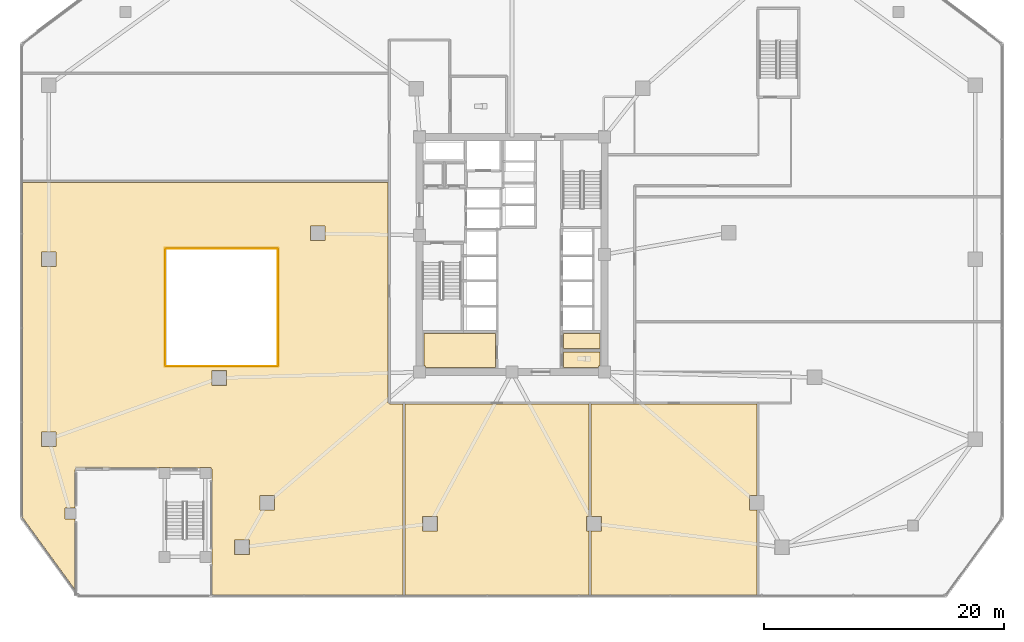
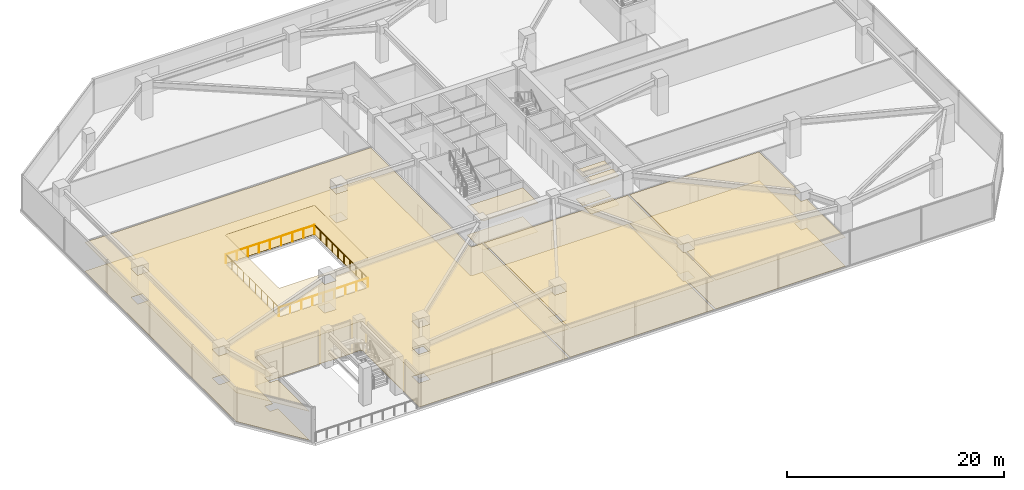
# One storey, part 15 of 22: 12 coverings, 4 railings.
"""IFC4 building model written with IfcOpenShell, lengths in metres."""

from ifc_helpers import new_model, si_unit, direction, frame, origin, origin_2d, place, context, subcontext, project, spatial, polyline, circle, outline, extrude, material, layer, layer_set, type_object, element, save


model = new_model("IFC4")

# Units and contexts
model_context = context("Model", 3, precision=1e-05, world=origin(), true_north=direction((0.0, 1.0)))
body_context = subcontext(model_context, "Body", "Model", "MODEL_VIEW")
ifc_project = project(units=[si_unit("LENGTHUNIT", "METRE"), si_unit("AREAUNIT", "SQUARE_METRE"), si_unit("VOLUMEUNIT", "CUBIC_METRE"), si_unit("PLANEANGLEUNIT", "RADIAN"), si_unit("MASSUNIT", "GRAM", prefix="KILO")], contexts=[model_context])

# Site, building, storey
site_placement = place(None, origin())
site = spatial("IfcSite", under=ifc_project, at=site_placement, CompositionType="ELEMENT")
building_placement = place(site_placement, origin())
building = spatial("IfcBuilding", under=site, at=building_placement, Name="Savorim Split Tower", CompositionType="ELEMENT")
storey_placement = place(building_placement, frame((0.0, 0.0, 13.39990234375)))
storey = spatial("IfcBuildingStorey", under=building, at=storey_placement, Name="L03", CompositionType="ELEMENT", Elevation=13.39990234375)

# Coverings
ifc_material_1 = material(Name="Mineral Fibre Acoustic Ceiling")
ifc_layer_1 = layer(ifc_material_1, 0.02490234375)
ifc_layer_set_1 = layer_set([ifc_layer_1], Name="COV-CEIL-25")
covering_type_1 = type_object("IfcCoveringType", Name="COV-CEIL-25", PredefinedType="CEILING", material=ifc_layer_set_1)
covering_1_placement = place(storey_placement, frame((0.0, 0.0, 3.239990234375)))
element("IfcCovering", 1, at=covering_1_placement, inside=storey, type_object=covering_type_1, Name="L03 Housekeeping Store Acoustic Ceiling", PredefinedType="CEILING", context=body_context, shape_type="SweptSolid", body=[
    extrude(outline(polyline([(-1.3798828125, -6.179931640625), (-7.320068359375, -6.179931640625), (-7.320068359375, -8.889892578125), (-7.18994140625, -8.889892578125), (-7.18994140625, -9.02001953125), (-1.3798828125, -9.02001953125), (-1.3798828125, -6.179931640625)])), origin(), (0.0, 0.0, 1.0), 0.025146484375),
])
covering_2_placement = place(storey_placement, frame((0.0, 0.0, 3.239990234375)))
element("IfcCovering", 2, at=covering_2_placement, inside=storey, type_object=covering_type_1, Name="L03 Accessible WC Acoustic Ceiling", PredefinedType="CEILING", context=body_context, shape_type="SweptSolid", body=[
    extrude(outline(polyline([(4.280029296875, -7.719970703125), (4.280029296875, -9.02001953125), (7.18994140625, -9.02001953125), (7.18994140625, -8.889892578125), (7.320068359375, -8.889892578125), (7.320068359375, -7.719970703125), (4.280029296875, -7.719970703125)])), origin(), (0.0, 0.0, 1.0), 0.025146484375),
])
covering_3_placement = place(storey_placement, frame((0.0, 0.0, 3.239990234375)))
element("IfcCovering", 3, at=covering_3_placement, inside=storey, type_object=covering_type_1, Name="L03 Cleaning Store Acoustic Ceiling", PredefinedType="CEILING", context=body_context, shape_type="SweptSolid", body=[
    extrude(outline(polyline([(4.280029296875, -6.179931640625), (4.280029296875, -7.43994140625), (7.320068359375, -7.43994140625), (7.320068359375, -6.179931640625), (4.280029296875, -6.179931640625)])), origin(), (0.0, 0.0, 1.0), 0.025146484375),
])
covering_4_placement = place(storey_placement, frame((0.0, 0.0, 3.239990234375)))
element("IfcCovering", 4, at=covering_4_placement, inside=storey, type_object=covering_type_1, Name="L03 Co-Working Commons Acoustic Ceiling", PredefinedType="CEILING", context=body_context, shape_type="SweptSolid", body=[
    extrude(outline(polyline([(-10.31494140625, 6.405029296875), (-40.780029296875, 6.405029296875), (-40.780029296875, -21.528564453125), (-36.419921875, -27.5234375), (-36.419921875, -21.659912109375), (-37.260009765625, -21.659912109375), (-37.260009765625, -20.739990234375), (-36.419921875, -20.739990234375), (-36.419921875, -17.60009765625), (-36.4189453125, -17.578369140625), (-36.415771484375, -17.55712890625), (-36.410400390625, -17.5361328125), (-36.4033203125, -17.515869140625), (-36.39404296875, -17.496337890625), (-36.3828125, -17.477783203125), (-36.3701171875, -17.46044921875), (-36.355712890625, -17.4443359375), (-36.339599609375, -17.429931640625), (-36.322265625, -17.4169921875), (-36.3037109375, -17.406005859375), (-36.2841796875, -17.396728515625), (-36.263916015625, -17.389404296875), (-36.242919921875, -17.38427734375), (-36.2216796875, -17.381103515625), (-36.199951171875, -17.3798828125), (-29.409912109375, -17.3798828125), (-29.409912109375, -17.340087890625), (-28.489990234375, -17.340087890625), (-28.489990234375, -17.3798828125), (-26.010009765625, -17.3798828125), (-26.010009765625, -17.340087890625), (-25.090087890625, -17.340087890625), (-25.090087890625, -17.40966796875), (-25.077880859375, -17.4169921875), (-25.060302734375, -17.429931640625), (-25.04443359375, -17.4443359375), (-25.02978515625, -17.46044921875), (-25.01708984375, -17.477783203125), (-25.006103515625, -17.496337890625), (-24.99658203125, -17.515869140625), (-24.989501953125, -17.5361328125), (-24.984130859375, -17.55712890625), (-24.981201171875, -17.578369140625), (-24.97998046875, -17.60009765625), (-24.97998046875, -27.97998046875), (-9.094970703125, -27.97998046875), (-9.094970703125, -12.074951171875), (-10.219970703125, -12.074951171875), (-10.219970703125, -11.97998046875), (-10.31494140625, -11.97998046875), (-10.31494140625, 6.405029296875)]), holes=[polyline([(-28.947021484375, -8.829345703125), (-28.943603515625, -8.843505859375), (-28.938720703125, -8.857421875), (-28.932373046875, -8.87060546875), (-28.9248046875, -8.88330078125), (-28.916015625, -8.895263671875), (-28.906005859375, -8.906005859375), (-28.895263671875, -8.916015625), (-28.88330078125, -8.9248046875), (-28.87060546875, -8.932373046875), (-28.857421875, -8.938720703125), (-28.843505859375, -8.943603515625), (-28.829345703125, -8.947021484375), (-28.814697265625, -8.94921875), (-28.800048828125, -8.949951171875), (-19.60009765625, -8.949951171875), (-19.585205078125, -8.94921875), (-19.57080078125, -8.947021484375), (-19.556396484375, -8.943603515625), (-19.54248046875, -8.938720703125), (-19.529296875, -8.932373046875), (-19.5166015625, -8.9248046875), (-19.5048828125, -8.916015625), (-19.493896484375, -8.906005859375), (-19.48388671875, -8.895263671875), (-19.475341796875, -8.88330078125), (-19.4677734375, -8.87060546875), (-19.46142578125, -8.857421875), (-19.45654296875, -8.843505859375), (-19.452880859375, -8.829345703125), (-19.45068359375, -8.814697265625), (-19.449951171875, -8.800048828125), (-19.449951171875, 0.800048828125), (-19.45068359375, 0.814697265625), (-19.452880859375, 0.829345703125), (-19.45654296875, 0.843505859375), (-19.46142578125, 0.857421875), (-19.4677734375, 0.87060546875), (-19.475341796875, 0.88330078125), (-19.48388671875, 0.895263671875), (-19.493896484375, 0.906005859375), (-19.5048828125, 0.916015625), (-19.5166015625, 0.9248046875), (-19.529296875, 0.932373046875), (-19.54248046875, 0.938720703125), (-19.556396484375, 0.943603515625), (-19.57080078125, 0.947021484375), (-19.585205078125, 0.94921875), (-19.60009765625, 0.949951171875), (-28.800048828125, 0.949951171875), (-28.814697265625, 0.94921875), (-28.829345703125, 0.947021484375), (-28.843505859375, 0.943603515625), (-28.857421875, 0.938720703125), (-28.87060546875, 0.932373046875), (-28.88330078125, 0.9248046875), (-28.895263671875, 0.916015625), (-28.906005859375, 0.906005859375), (-28.916015625, 0.895263671875), (-28.9248046875, 0.88330078125), (-28.932373046875, 0.87060546875), (-28.938720703125, 0.857421875), (-28.943603515625, 0.843505859375), (-28.947021484375, 0.829345703125), (-28.94921875, 0.814697265625), (-28.949951171875, 0.800048828125), (-28.949951171875, -8.800048828125), (-28.94921875, -8.814697265625), (-28.947021484375, -8.829345703125)]), polyline([(-37.989990234375, 0.610107421875), (-39.2099609375, 0.610107421875), (-39.2099609375, -0.610107421875), (-37.989990234375, -0.610107421875), (-37.989990234375, 0.610107421875)]), polyline([(-39.2099609375, -14.389892578125), (-39.2099609375, -15.610107421875), (-37.989990234375, -15.610107421875), (-37.989990234375, -14.389892578125), (-39.2099609375, -14.389892578125)]), polyline([(-23.110107421875, -24.610107421875), (-21.889892578125, -24.610107421875), (-21.889892578125, -23.389892578125), (-23.110107421875, -23.389892578125), (-23.110107421875, -24.610107421875)]), polyline([(-19.774169921875, -20.90185546875), (-19.774169921875, -19.681884765625), (-20.994140625, -19.681884765625), (-20.994140625, -20.90185546875), (-19.774169921875, -20.90185546875)]), polyline([(-15.57861328125, 1.543701171875), (-15.57861328125, 2.763671875), (-16.798583984375, 2.763671875), (-16.798583984375, 1.543701171875), (-15.57861328125, 1.543701171875)]), polyline([(-23.7744140625, -9.2841796875), (-24.994384765625, -9.2841796875), (-24.994384765625, -10.50439453125), (-23.7744140625, -10.50439453125), (-23.7744140625, -9.2841796875)])]), origin(), (0.0, 0.0, 1.0), 0.025146484375),
])
covering_5_placement = place(storey_placement, frame((0.0, 0.0, 3.239990234375)))
element("IfcCovering", 5, at=covering_5_placement, inside=storey, type_object=covering_type_1, Name="L03 Quiet Study Room Acoustic Ceiling", PredefinedType="CEILING", context=body_context, shape_type="SweptSolid", body=[
    extrude(outline(polyline([(6.405029296875, -12.074951171875), (-8.905029296875, -12.074951171875), (-8.905029296875, -27.97998046875), (6.405029296875, -27.97998046875), (6.405029296875, -22.641845703125), (6.2216796875, -22.641845703125), (6.2216796875, -21.421875), (6.405029296875, -21.421875), (6.405029296875, -12.074951171875)]), holes=[polyline([(-6.2216796875, -21.421875), (-7.44189453125, -21.421875), (-7.44189453125, -22.641845703125), (-6.2216796875, -22.641845703125), (-6.2216796875, -21.421875)])]), origin(), (0.0, 0.0, 1.0), 0.025146484375),
])
covering_6_placement = place(storey_placement, frame((0.0, 0.0, 3.239990234375)))
element("IfcCovering", 6, at=covering_6_placement, inside=storey, type_object=covering_type_1, Name="L03 Atrium Gallery Acoustic Ceiling", PredefinedType="CEILING", context=body_context, shape_type="SweptSolid", body=[
    extrude(outline(polyline([(7.44189453125, -22.641845703125), (6.594970703125, -22.641845703125), (6.594970703125, -27.97998046875), (20.405029296875, -27.97998046875), (20.405029296875, -20.90185546875), (19.774169921875, -20.90185546875), (19.774169921875, -19.681884765625), (20.405029296875, -19.681884765625), (20.405029296875, -12.074951171875), (6.594970703125, -12.074951171875), (6.594970703125, -21.421875), (7.44189453125, -21.421875), (7.44189453125, -22.641845703125)])), origin(), (0.0, 0.0, 1.0), 0.025146484375),
])
ifc_material_2 = material(Name="Porcelain Stoneware Flooring", Category="masonry")
ifc_layer_2 = layer(ifc_material_2, 0.02001953125)
ifc_layer_set_2 = layer_set([ifc_layer_2], Name="COV-FLOR-20")
covering_type_2 = type_object("IfcCoveringType", Name="COV-FLOR-20", PredefinedType="FLOORING", material=ifc_layer_set_2)
covering_7_placement = place(storey_placement, origin())
element("IfcCovering", 7, at=covering_7_placement, inside=storey, type_object=covering_type_2, Name="L03 Housekeeping Store Porcelain Flooring", PredefinedType="FLOORING", context=body_context, shape_type="SweptSolid", body=[
    extrude(outline(polyline([(-1.3798828125, -6.179931640625), (-7.320068359375, -6.179931640625), (-7.320068359375, -8.889892578125), (-7.18994140625, -8.889892578125), (-7.18994140625, -9.02001953125), (-1.3798828125, -9.02001953125), (-1.3798828125, -6.179931640625)])), origin(), (0.0, 0.0, 1.0), 0.02001953125),
])
covering_8_placement = place(storey_placement, origin())
element("IfcCovering", 8, at=covering_8_placement, inside=storey, type_object=covering_type_2, Name="L03 Accessible WC Porcelain Flooring", PredefinedType="FLOORING", context=body_context, shape_type="SweptSolid", body=[
    extrude(outline(polyline([(4.280029296875, -7.719970703125), (4.280029296875, -9.02001953125), (7.18994140625, -9.02001953125), (7.18994140625, -8.889892578125), (7.320068359375, -8.889892578125), (7.320068359375, -7.719970703125), (4.280029296875, -7.719970703125)])), origin(), (0.0, 0.0, 1.0), 0.02001953125),
])
covering_9_placement = place(storey_placement, origin())
element("IfcCovering", 9, at=covering_9_placement, inside=storey, type_object=covering_type_2, Name="L03 Cleaning Store Porcelain Flooring", PredefinedType="FLOORING", context=body_context, shape_type="SweptSolid", body=[
    extrude(outline(polyline([(4.280029296875, -6.179931640625), (4.280029296875, -7.43994140625), (7.320068359375, -7.43994140625), (7.320068359375, -6.179931640625), (4.280029296875, -6.179931640625)])), origin(), (0.0, 0.0, 1.0), 0.02001953125),
])
covering_10_placement = place(storey_placement, origin())
element("IfcCovering", 10, at=covering_10_placement, inside=storey, type_object=covering_type_2, Name="L03 Co-Working Commons Porcelain Flooring", PredefinedType="FLOORING", context=body_context, shape_type="SweptSolid", body=[
    extrude(outline(polyline([(-10.31494140625, 6.405029296875), (-40.780029296875, 6.405029296875), (-40.780029296875, -21.528564453125), (-36.419921875, -27.5234375), (-36.419921875, -21.659912109375), (-37.260009765625, -21.659912109375), (-37.260009765625, -20.739990234375), (-36.419921875, -20.739990234375), (-36.419921875, -17.60009765625), (-36.4189453125, -17.578369140625), (-36.415771484375, -17.55712890625), (-36.410400390625, -17.5361328125), (-36.4033203125, -17.515869140625), (-36.39404296875, -17.496337890625), (-36.3828125, -17.477783203125), (-36.3701171875, -17.46044921875), (-36.355712890625, -17.4443359375), (-36.339599609375, -17.429931640625), (-36.322265625, -17.4169921875), (-36.3037109375, -17.406005859375), (-36.2841796875, -17.396728515625), (-36.263916015625, -17.389404296875), (-36.242919921875, -17.38427734375), (-36.2216796875, -17.381103515625), (-36.199951171875, -17.3798828125), (-29.409912109375, -17.3798828125), (-29.409912109375, -17.340087890625), (-28.489990234375, -17.340087890625), (-28.489990234375, -17.3798828125), (-26.010009765625, -17.3798828125), (-26.010009765625, -17.340087890625), (-25.090087890625, -17.340087890625), (-25.090087890625, -17.40966796875), (-25.077880859375, -17.4169921875), (-25.060302734375, -17.429931640625), (-25.04443359375, -17.4443359375), (-25.02978515625, -17.46044921875), (-25.01708984375, -17.477783203125), (-25.006103515625, -17.496337890625), (-24.99658203125, -17.515869140625), (-24.989501953125, -17.5361328125), (-24.984130859375, -17.55712890625), (-24.981201171875, -17.578369140625), (-24.97998046875, -17.60009765625), (-24.97998046875, -27.97998046875), (-9.094970703125, -27.97998046875), (-9.094970703125, -12.074951171875), (-10.219970703125, -12.074951171875), (-10.219970703125, -11.97998046875), (-10.31494140625, -11.97998046875), (-10.31494140625, 6.405029296875)]), holes=[polyline([(-28.947021484375, -8.829345703125), (-28.943603515625, -8.843505859375), (-28.938720703125, -8.857421875), (-28.932373046875, -8.87060546875), (-28.9248046875, -8.88330078125), (-28.916015625, -8.895263671875), (-28.906005859375, -8.906005859375), (-28.895263671875, -8.916015625), (-28.88330078125, -8.9248046875), (-28.87060546875, -8.932373046875), (-28.857421875, -8.938720703125), (-28.843505859375, -8.943603515625), (-28.829345703125, -8.947021484375), (-28.814697265625, -8.94921875), (-28.800048828125, -8.949951171875), (-19.60009765625, -8.949951171875), (-19.585205078125, -8.94921875), (-19.57080078125, -8.947021484375), (-19.556396484375, -8.943603515625), (-19.54248046875, -8.938720703125), (-19.529296875, -8.932373046875), (-19.5166015625, -8.9248046875), (-19.5048828125, -8.916015625), (-19.493896484375, -8.906005859375), (-19.48388671875, -8.895263671875), (-19.475341796875, -8.88330078125), (-19.4677734375, -8.87060546875), (-19.46142578125, -8.857421875), (-19.45654296875, -8.843505859375), (-19.452880859375, -8.829345703125), (-19.45068359375, -8.814697265625), (-19.449951171875, -8.800048828125), (-19.449951171875, 0.800048828125), (-19.45068359375, 0.814697265625), (-19.452880859375, 0.829345703125), (-19.45654296875, 0.843505859375), (-19.46142578125, 0.857421875), (-19.4677734375, 0.87060546875), (-19.475341796875, 0.88330078125), (-19.48388671875, 0.895263671875), (-19.493896484375, 0.906005859375), (-19.5048828125, 0.916015625), (-19.5166015625, 0.9248046875), (-19.529296875, 0.932373046875), (-19.54248046875, 0.938720703125), (-19.556396484375, 0.943603515625), (-19.57080078125, 0.947021484375), (-19.585205078125, 0.94921875), (-19.60009765625, 0.949951171875), (-28.800048828125, 0.949951171875), (-28.814697265625, 0.94921875), (-28.829345703125, 0.947021484375), (-28.843505859375, 0.943603515625), (-28.857421875, 0.938720703125), (-28.87060546875, 0.932373046875), (-28.88330078125, 0.9248046875), (-28.895263671875, 0.916015625), (-28.906005859375, 0.906005859375), (-28.916015625, 0.895263671875), (-28.9248046875, 0.88330078125), (-28.932373046875, 0.87060546875), (-28.938720703125, 0.857421875), (-28.943603515625, 0.843505859375), (-28.947021484375, 0.829345703125), (-28.94921875, 0.814697265625), (-28.949951171875, 0.800048828125), (-28.949951171875, -8.800048828125), (-28.94921875, -8.814697265625), (-28.947021484375, -8.829345703125)]), polyline([(-37.989990234375, 0.610107421875), (-39.2099609375, 0.610107421875), (-39.2099609375, -0.610107421875), (-37.989990234375, -0.610107421875), (-37.989990234375, 0.610107421875)]), polyline([(-39.2099609375, -14.389892578125), (-39.2099609375, -15.610107421875), (-37.989990234375, -15.610107421875), (-37.989990234375, -14.389892578125), (-39.2099609375, -14.389892578125)]), polyline([(-23.110107421875, -24.610107421875), (-21.889892578125, -24.610107421875), (-21.889892578125, -23.389892578125), (-23.110107421875, -23.389892578125), (-23.110107421875, -24.610107421875)]), polyline([(-19.774169921875, -20.90185546875), (-19.774169921875, -19.681884765625), (-20.994140625, -19.681884765625), (-20.994140625, -20.90185546875), (-19.774169921875, -20.90185546875)]), polyline([(-15.57861328125, 1.543701171875), (-15.57861328125, 2.763671875), (-16.798583984375, 2.763671875), (-16.798583984375, 1.543701171875), (-15.57861328125, 1.543701171875)]), polyline([(-23.7744140625, -9.2841796875), (-24.994384765625, -9.2841796875), (-24.994384765625, -10.50439453125), (-23.7744140625, -10.50439453125), (-23.7744140625, -9.2841796875)])]), origin(), (0.0, 0.0, 1.0), 0.02001953125),
])
covering_11_placement = place(storey_placement, origin())
element("IfcCovering", 11, at=covering_11_placement, inside=storey, type_object=covering_type_2, Name="L03 Quiet Study Room Porcelain Flooring", PredefinedType="FLOORING", context=body_context, shape_type="SweptSolid", body=[
    extrude(outline(polyline([(6.405029296875, -12.074951171875), (-8.905029296875, -12.074951171875), (-8.905029296875, -27.97998046875), (6.405029296875, -27.97998046875), (6.405029296875, -22.641845703125), (6.2216796875, -22.641845703125), (6.2216796875, -21.421875), (6.405029296875, -21.421875), (6.405029296875, -12.074951171875)]), holes=[polyline([(-6.2216796875, -21.421875), (-7.44189453125, -21.421875), (-7.44189453125, -22.641845703125), (-6.2216796875, -22.641845703125), (-6.2216796875, -21.421875)])]), origin(), (0.0, 0.0, 1.0), 0.02001953125),
])
covering_12_placement = place(storey_placement, origin())
element("IfcCovering", 12, at=covering_12_placement, inside=storey, type_object=covering_type_2, Name="L03 Atrium Gallery Porcelain Flooring", PredefinedType="FLOORING", context=body_context, shape_type="SweptSolid", body=[
    extrude(outline(polyline([(7.44189453125, -22.641845703125), (6.594970703125, -22.641845703125), (6.594970703125, -27.97998046875), (20.405029296875, -27.97998046875), (20.405029296875, -20.90185546875), (19.774169921875, -20.90185546875), (19.774169921875, -19.681884765625), (20.405029296875, -19.681884765625), (20.405029296875, -12.074951171875), (6.594970703125, -12.074951171875), (6.594970703125, -21.421875), (7.44189453125, -21.421875), (7.44189453125, -22.641845703125)])), origin(), (0.0, 0.0, 1.0), 0.02001953125),
])

# Railings
ifc_material_3 = material(Name="Galvanised Painted Steel Balustrade", Category="steel")
railing_type = type_object("IfcRailingType", Name="RLG-STG-1100", PredefinedType="BALUSTRADE", material=ifc_material_3)
for number, where, name in (
    (13, (-28.919921875, -8.919921875, 0.0), "L03 Atrium Void Guard South"),
    (14, (-28.919921875, 0.919921875, 0.0), "L03 Atrium Void Guard North"),
):
    element("IfcRailing", number, at=place(storey_placement, frame(where)), inside=storey, type_object=railing_type, Name=name, PredefinedType="BALUSTRADE", context=body_context, shape_type="SweptSolid", body=[
        extrude(circle(Radius=0.02392578125, at=origin_2d()), frame((0.0, 0.0, 1.076171875), z_axis=(1.0, 0.0, 0.0), x_axis=(0.0, 1.0, 0.0)), (0.0, 0.0, 1.0), 9.43994140625),
        extrude(circle(Radius=0.02099609375, at=origin_2d()), origin(), (0.0, 0.0, 1.0), 1.052001953125),
        extrude(circle(Radius=0.02099609375, at=origin_2d()), frame((1.179931640625, 0.0, 0.0)), (0.0, 0.0, 1.0), 1.052001953125),
        extrude(circle(Radius=0.02099609375, at=origin_2d()), frame((2.35986328125, 0.0, 0.0)), (0.0, 0.0, 1.0), 1.052001953125),
        extrude(circle(Radius=0.02099609375, at=origin_2d()), frame((3.5400390625, 0.0, 0.0)), (0.0, 0.0, 1.0), 1.052001953125),
        extrude(circle(Radius=0.02099609375, at=origin_2d()), frame((4.719970703125, 0.0, 0.0)), (0.0, 0.0, 1.0), 1.052001953125),
        extrude(circle(Radius=0.02099609375, at=origin_2d()), frame((5.89990234375, 0.0, 0.0)), (0.0, 0.0, 1.0), 1.052001953125),
        extrude(circle(Radius=0.02099609375, at=origin_2d()), frame((7.080078125, 0.0, 0.0)), (0.0, 0.0, 1.0), 1.052001953125),
        extrude(circle(Radius=0.02099609375, at=origin_2d()), frame((8.260009765625, 0.0, 0.0)), (0.0, 0.0, 1.0), 1.052001953125),
        extrude(circle(Radius=0.02099609375, at=origin_2d()), frame((9.43994140625, 0.0, 0.0)), (0.0, 0.0, 1.0), 1.052001953125),
    ])
for number, where, name in (
    (15, (-28.919921875, -8.919921875, 0.0), "L03 Atrium Void Guard West"),
    (16, (-19.47998046875, -8.919921875, 0.0), "L03 Atrium Void Guard East"),
):
    element("IfcRailing", number, at=place(storey_placement, frame(where)), inside=storey, type_object=railing_type, Name=name, PredefinedType="BALUSTRADE", context=body_context, shape_type="SweptSolid", body=[
        extrude(circle(Radius=0.02392578125, at=origin_2d()), frame((0.0, 0.0, 1.076171875), z_axis=(0.0, 1.0, 0.0), x_axis=(-1.0, 0.0, 0.0)), (0.0, 0.0, 1.0), 9.83984375),
        extrude(circle(Radius=0.02099609375, at=origin_2d()), origin(), (0.0, 0.0, 1.0), 1.052001953125),
        extrude(circle(Radius=0.02099609375, at=origin_2d()), frame((0.0, 1.09326171875, 0.0)), (0.0, 0.0, 1.0), 1.052001953125),
        extrude(circle(Radius=0.02099609375, at=origin_2d()), frame((0.0, 2.1865234375, 0.0)), (0.0, 0.0, 1.0), 1.052001953125),
        extrude(circle(Radius=0.02099609375, at=origin_2d()), frame((0.0, 3.280029296875, 0.0)), (0.0, 0.0, 1.0), 1.052001953125),
        extrude(circle(Radius=0.02099609375, at=origin_2d()), frame((0.0, 4.373291015625, 0.0)), (0.0, 0.0, 1.0), 1.052001953125),
        extrude(circle(Radius=0.02099609375, at=origin_2d()), frame((0.0, 5.466552734375, 0.0)), (0.0, 0.0, 1.0), 1.052001953125),
        extrude(circle(Radius=0.02099609375, at=origin_2d()), frame((0.0, 6.559814453125, 0.0)), (0.0, 0.0, 1.0), 1.052001953125),
        extrude(circle(Radius=0.02099609375, at=origin_2d()), frame((0.0, 7.6533203125, 0.0)), (0.0, 0.0, 1.0), 1.052001953125),
        extrude(circle(Radius=0.02099609375, at=origin_2d()), frame((0.0, 8.74658203125, 0.0)), (0.0, 0.0, 1.0), 1.052001953125),
        extrude(circle(Radius=0.02099609375, at=origin_2d()), frame((0.0, 9.83984375, 0.0)), (0.0, 0.0, 1.0), 1.052001953125),
    ])

save(model, "model.ifc")
